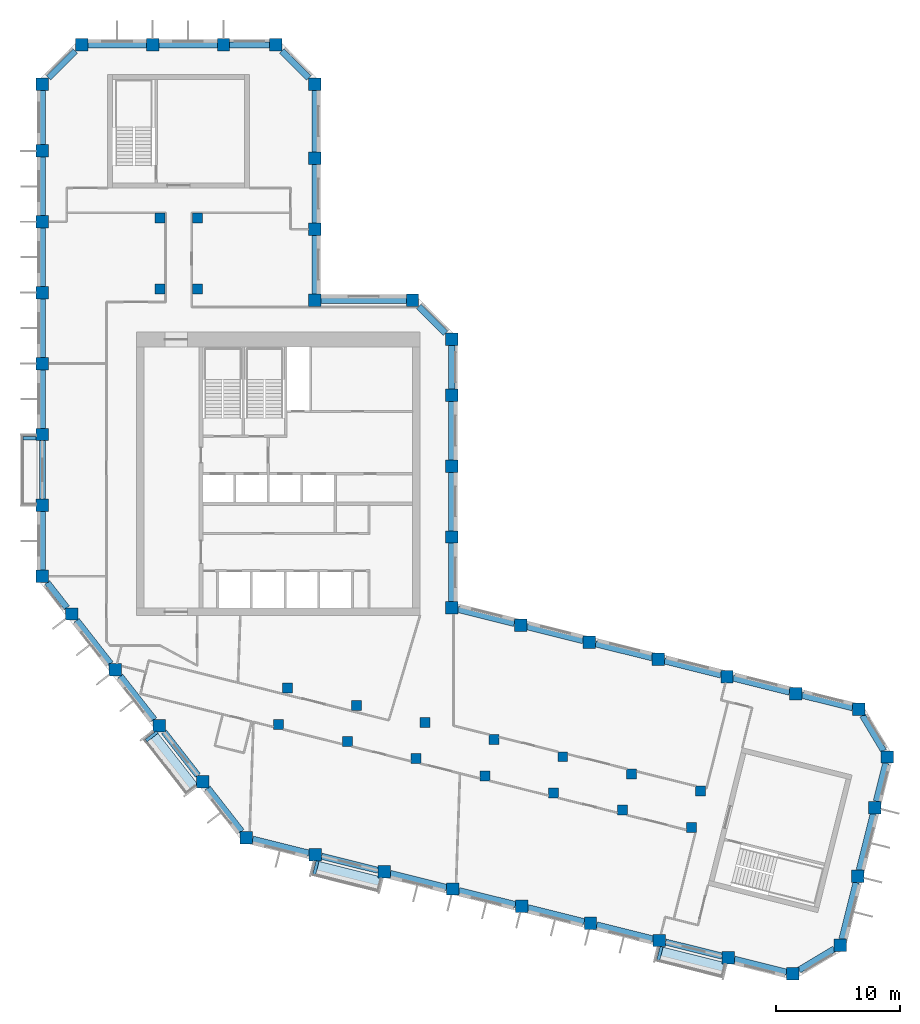
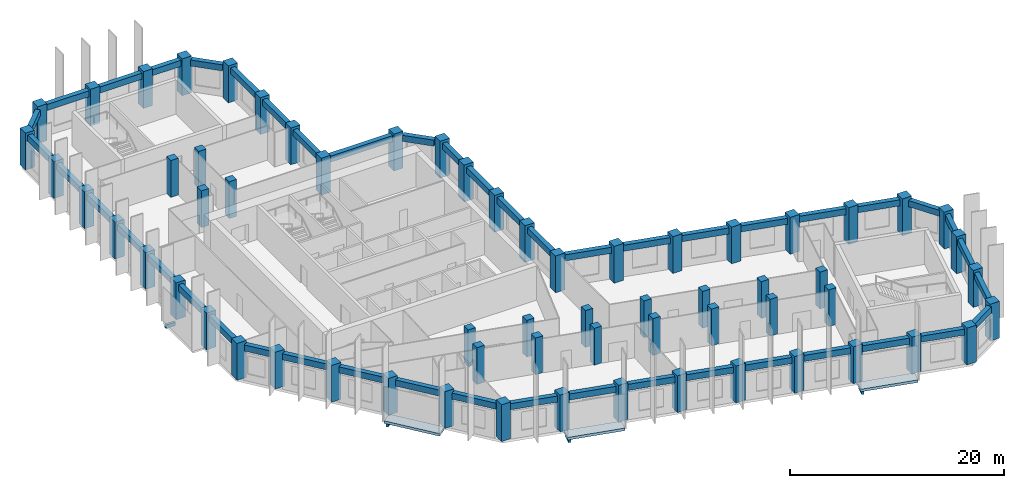
# One storey, part 1 of 9: 63 columns, 49 beams, 3 slabs.
"""IFC4 building model written with IfcOpenShell, lengths in metres."""

from ifc_helpers import new_model, si_unit, direction, frame, origin, origin_2d, place, context, subcontext, project, spatial, polyline, rectangle, outline, extrude, material, layer, layer_set, material_profile, profile_set, type_object, element, save


model = new_model("IFC4")

# Units and contexts
model_context = context("Model", 3, precision=1e-05, world=origin(), true_north=direction((0.0, 1.0)))
body_context = subcontext(model_context, "Body", "Model", "MODEL_VIEW")
ifc_project = project(units=[si_unit("LENGTHUNIT", "METRE"), si_unit("AREAUNIT", "SQUARE_METRE"), si_unit("VOLUMEUNIT", "CUBIC_METRE"), si_unit("PLANEANGLEUNIT", "RADIAN"), si_unit("MASSUNIT", "GRAM", prefix="KILO")], contexts=[model_context])

# Site, building, storey
site_placement = place(None, origin())
site = spatial("IfcSite", under=ifc_project, at=site_placement, CompositionType="ELEMENT")
building_placement = place(site_placement, origin())
building = spatial("IfcBuilding", under=site, at=building_placement, Name="Meshkara Civic Tower", CompositionType="ELEMENT")
storey_placement = place(building_placement, frame((0.0, 0.0, 340.199951171875)))
storey = spatial("IfcBuildingStorey", under=building, at=storey_placement, Name="L78", CompositionType="ELEMENT", Elevation=340.199951171875)

# Columns
ifc_material_1 = material(Name="Concrete C60", Category="concrete")
ifc_material_profile_1 = material_profile(ifc_material_1, rectangle(XDim=0.800048828125, YDim=0.800048828125, at=origin_2d()))
ifc_profile_set_1 = profile_set([ifc_material_profile_1], Name="Concrete C60")
column_type_1 = type_object("IfcColumnType", Name="Interior column RC 800x800 C60", PredefinedType="COLUMN", material=ifc_profile_set_1)
for number, where, z_axis, x_axis, name in (
    (1, (9.89990234375, 40.35009765625, 0.0), (0.0, 0.0, 1.0), (1.0, 0.0, 0.0), "Column SA1-04 L78"),
    (2, (9.89990234375, 46.050048828125, 0.0), (0.0, 0.0, 1.0), (1.0, 0.0, 0.0), "Column SA1-05 L78"),
    (3, (12.89990234375, 40.35009765625, 0.0), (0.0, 0.0, 1.0), (1.0, 0.0, 0.0), "Column SA2-04 L78"),
    (4, (12.89990234375, 46.050048828125, 0.0), (0.0, 0.0, 1.0), (1.0, 0.0, 0.0), "Column SA2-05 L78"),
    (5, (19.424072265625, 5.360107421875, 0.0), (0.0, 0.0, 1.0), (1.0, 0.0, 0.0), "Column SB1-00 L78"),
    (6, (24.9541015625, 3.98095703125, 0.0), (0.0, 0.0, 1.0), (1.0, 0.0, 0.0), "Column SB1-01 L78"),
    (7, (30.485107421875, 2.60205078125, 0.0), (0.0, 0.0, 1.0), (1.0, 0.0, 0.0), "Column SB1-02 L78"),
    (8, (36.01611328125, 1.222900390625, 0.0), (0.0, 0.0, 1.0), (1.0, 0.0, 0.0), "Column SB1-03 L78"),
    (9, (41.5458984375, -0.156005859375, 0.0), (0.0, 0.0, 1.0), (1.0, 0.0, 0.0), "Column SB1-04 L78"),
    (10, (47.076904296875, -1.534912109375, 0.0), (0.0, 0.0, 1.0), (1.0, 0.0, 0.0), "Column SB1-05 L78"),
    (11, (52.60791015625, -2.9140625, 0.0), (0.0, 0.0, 1.0), (1.0, 0.0, 0.0), "Column SB1-06 L78"),
    (12, (20.14892578125, 8.27099609375, 0.0), (0.0, 0.0, 1.0), (1.0, 0.0, 0.0), "Column SB2-00 L78"),
    (13, (25.679931640625, 6.89208984375, 0.0), (0.0, 0.0, 1.0), (1.0, 0.0, 0.0), "Column SB2-01 L78"),
    (14, (31.2109375, 5.512939453125, 0.0), (0.0, 0.0, 1.0), (1.0, 0.0, 0.0), "Column SB2-02 L78"),
    (15, (36.741943359375, 4.134033203125, 0.0), (0.0, 0.0, 1.0), (1.0, 0.0, 0.0), "Column SB2-03 L78"),
    (16, (42.27197265625, 2.7548828125, 0.0), (0.0, 0.0, 1.0), (1.0, 0.0, 0.0), "Column SB2-04 L78"),
    (17, (47.802978515625, 1.3759765625, 0.0), (0.0, 0.0, 1.0), (1.0, 0.0, 0.0), "Column SB2-05 L78"),
    (18, (53.333984375, -0.0029296875, 0.0), (0.0, 0.0, 1.0), (1.0, 0.0, 0.0), "Column SB2-06 L78"),
):
    element("IfcColumn", number, at=place(storey_placement, frame(where, z_axis=z_axis, x_axis=x_axis)), inside=storey, type_object=column_type_1, Name=name, PredefinedType="COLUMN", context=body_context, shape_type="SweptSolid", body=[
        extrude(rectangle(XDim=0.800048828125, YDim=0.800048828125, at=origin_2d()), origin(), (0.0, 0.0, 1.0), 4.199951171875),
    ])
ifc_material_2 = material(Name="Concrete C60", Category="concrete")
ifc_material_profile_2 = material_profile(ifc_material_2, rectangle(XDim=1.0, YDim=1.0, at=origin_2d()))
ifc_profile_set_2 = profile_set([ifc_material_profile_2], Name="Concrete C60")
column_type_2 = type_object("IfcColumnType", Name="Perimeter column RC 1000x1000 C60", PredefinedType="COLUMN", material=ifc_profile_set_2)
for number, where, z_axis, x_axis, name in (
    (19, (33.35009765625, 14.718994140625, 0.0), (0.0, 0.0, 1.0), (1.0, 0.0, 0.0), "Column HE00 L78"),
    (20, (33.35009765625, 20.4189453125, 0.0), (0.0, 0.0, 1.0), (1.0, 0.0, 0.0), "Column HE01 L78"),
    (21, (33.35009765625, 26.118896484375, 0.0), (0.0, 0.0, 1.0), (1.0, 0.0, 0.0), "Column HE02 L78"),
    (22, (33.35009765625, 31.819091796875, 0.0), (0.0, 0.0, 1.0), (1.0, 0.0, 0.0), "Column HE03 L78"),
    (23, (33.35009765625, 36.2939453125, 0.0), (0.0, 0.0, 1.0), (1.0, 0.0, 0.0), "Column HEE L78"),
    (24, (30.194091796875, 39.449951171875, 0.0), (0.0, 0.0, 1.0), (1.0, 0.0, 0.0), "Column HCeE L78"),
    (25, (22.35009765625, 39.449951171875, 0.0), (0.0, 0.0, 1.0), (1.0, 0.0, 0.0), "Column HN00 L78"),
    (26, (22.35009765625, 45.14990234375, 0.0), (0.0, 0.0, 1.0), (1.0, 0.0, 0.0), "Column AE01 L78"),
    (27, (22.35009765625, 50.85009765625, 0.0), (0.0, 0.0, 1.0), (1.0, 0.0, 0.0), "Column AE02 L78"),
    (28, (22.35009765625, 56.81396484375, 0.0), (0.0, 0.0, 1.0), (1.0, 0.0, 0.0), "Column AEEP4 L78"),
    (29, (19.194091796875, 59.969970703125, 0.0), (0.0, 0.0, 1.0), (1.0, 0.0, 0.0), "Column ATiEP4 L78"),
    (30, (3.60595703125, 59.969970703125, 0.0), (0.0, 0.0, 1.0), (1.0, 0.0, 0.0), "Column AT00-P4 L78"),
    (31, (9.305908203125, 59.969970703125, 0.0), (0.0, 0.0, 1.0), (1.0, 0.0, 0.0), "Column AT01-P4 L78"),
    (32, (15.006103515625, 59.969970703125, 0.0), (0.0, 0.0, 1.0), (1.0, 0.0, 0.0), "Column AT02-P4 L78"),
    (33, (0.449951171875, 56.81396484375, 0.0), (0.0, 0.0, 1.0), (1.0, 0.0, 0.0), "Column ATo00-P4 L78"),
    (34, (0.449951171875, 17.2548828125, 0.0), (0.0, 0.0, 1.0), (1.0, 0.0, 0.0), "Column AW00 L78"),
    (35, (0.449951171875, 22.955078125, 0.0), (0.0, 0.0, 1.0), (1.0, 0.0, 0.0), "Column AW01 L78"),
    (36, (0.449951171875, 28.655029296875, 0.0), (0.0, 0.0, 1.0), (1.0, 0.0, 0.0), "Column AW02 L78"),
    (37, (0.449951171875, 34.35498046875, 0.0), (0.0, 0.0, 1.0), (1.0, 0.0, 0.0), "Column AW03 L78"),
    (38, (0.449951171875, 40.054931640625, 0.0), (0.0, 0.0, 1.0), (1.0, 0.0, 0.0), "Column AW04 L78"),
    (39, (0.449951171875, 45.7548828125, 0.0), (0.0, 0.0, 1.0), (1.0, 0.0, 0.0), "Column AW05 L78"),
    (40, (0.449951171875, 51.455078125, 0.0), (0.0, 0.0, 1.0), (1.0, 0.0, 0.0), "Column AW06 L78"),
    (41, (16.85107421875, -3.738037109375, 0.0), (0.0, 0.0, 1.0), (1.0, 0.0, 0.0), "Column BOW00 L78"),
    (42, (13.342041015625, 0.75390625, 0.0), (0.0, 0.0, 1.0), (1.0, 0.0, 0.0), "Column BOW01 L78"),
    (43, (9.8330078125, 5.2451171875, 0.0), (0.0, 0.0, 1.0), (1.0, 0.0, 0.0), "Column BOW02 L78"),
    (44, (6.322998046875, 9.737060546875, 0.0), (0.0, 0.0, 1.0), (1.0, 0.0, 0.0), "Column BOW03 L78"),
    (45, (2.81396484375, 14.22900390625, 0.0), (0.0, 0.0, 1.0), (1.0, 0.0, 0.0), "Column BOW04 L78"),
    (46, (22.382080078125, -5.116943359375, 0.0), (0.0, 0.0, 1.0), (1.0, 0.0, 0.0), "Column BS01 L78"),
    (47, (27.912109375, -6.49609375, 0.0), (0.0, 0.0, 1.0), (1.0, 0.0, 0.0), "Column BS02 L78"),
    (48, (33.443115234375, -7.875, 0.0), (0.0, 0.0, 1.0), (1.0, 0.0, 0.0), "Column BS03 L78"),
    (49, (38.97412109375, -9.25390625, 0.0), (0.0, 0.0, 1.0), (1.0, 0.0, 0.0), "Column BS04 L78"),
    (50, (44.50390625, -10.633056640625, 0.0), (0.0, 0.0, 1.0), (1.0, 0.0, 0.0), "Column BS05-P4 L78"),
    (51, (50.034912109375, -12.011962890625, 0.0), (0.0, 0.0, 1.0), (1.0, 0.0, 0.0), "Column BS06-P4 L78"),
    (52, (55.56591796875, -13.389892578125, 0.0), (0.0, 0.0, 1.0), (1.0, 0.0, 0.0), "Column BS07 L78"),
    (53, (60.76611328125, -14.68701171875, 0.0), (0.0, 0.0, 1.0), (1.0, 0.0, 0.0), "Column BSEP4 L78"),
    (54, (64.591064453125, -12.386962890625, 0.0), (0.0, 0.0, 1.0), (1.0, 0.0, 0.0), "Column BToEP4 L78"),
    (55, (65.969970703125, -6.85595703125, 0.0), (0.0, 0.0, 1.0), (1.0, 0.0, 0.0), "Column BT01-P4 L78"),
    (56, (67.34912109375, -1.325927734375, 0.0), (0.0, 0.0, 1.0), (1.0, 0.0, 0.0), "Column BT02-P4 L78"),
    (57, (68.362060546875, 2.736083984375, 0.0), (0.0, 0.0, 1.0), (1.0, 0.0, 0.0), "Column BTEP4 L78"),
    (58, (66.06298828125, 6.56201171875, 0.0), (0.0, 0.0, 1.0), (1.0, 0.0, 0.0), "Column BTi00-P4 L78"),
    (59, (38.881103515625, 13.340087890625, 0.0), (0.0, 0.0, 1.0), (1.0, 0.0, 0.0), "Column BN01 L78"),
    (60, (44.410888671875, 11.9609375, 0.0), (0.0, 0.0, 1.0), (1.0, 0.0, 0.0), "Column BN02 L78"),
    (61, (49.94189453125, 10.58203125, 0.0), (0.0, 0.0, 1.0), (1.0, 0.0, 0.0), "Column BN03 L78"),
    (62, (55.472900390625, 9.202880859375, 0.0), (0.0, 0.0, 1.0), (1.0, 0.0, 0.0), "Column BN04 L78"),
    (63, (61.0029296875, 7.823974609375, 0.0), (0.0, 0.0, 1.0), (1.0, 0.0, 0.0), "Column BN05 L78"),
):
    element("IfcColumn", number, at=place(storey_placement, frame(where, z_axis=z_axis, x_axis=x_axis)), inside=storey, type_object=column_type_2, Name=name, PredefinedType="COLUMN", context=body_context, shape_type="SweptSolid", body=[
        extrude(rectangle(XDim=1.0, YDim=1.0, at=origin_2d()), origin(), (0.0, 0.0, 1.0), 4.199951171875),
    ])

# Beams
ifc_material_3 = material(Name="Concrete C50", Category="concrete")
ifc_material_profile_3 = material_profile(ifc_material_3, rectangle(XDim=0.25, YDim=0.39990234375, at=origin_2d()))
ifc_profile_set_3 = profile_set([ifc_material_profile_3], Name="Concrete C50")
beam_type_1 = type_object("IfcBeamType", Name="Balcony bracket beam RC 250x400 C50", PredefinedType="BEAM", material=ifc_profile_set_3)
beam_1_placement = place(storey_placement, frame((-0.044921875, 28.35498046875, -0.5), z_axis=(-1.0, 0.0, 0.0), x_axis=(0.0, -1.0, 0.0)))
element("IfcBeam", 64, at=beam_1_placement, inside=storey, type_object=beam_type_1, Name="Balcony bracket beam", PredefinedType="BEAM", context=body_context, shape_type="SweptSolid", body=[
    extrude(rectangle(XDim=0.25, YDim=0.39990234375, at=origin_2d()), origin(), (0.0, 0.0, 1.0), 1.05517578125),
])
beam_2_placement = place(storey_placement, frame((9.68408203125, 4.748046875, -0.5), z_axis=(-0.787938992743, -0.61575331401, 0.0), x_axis=(0.61575331401, -0.787938992743, 0.0)))
element("IfcBeam", 65, at=beam_2_placement, inside=storey, type_object=beam_type_1, Name="Balcony bracket beam", PredefinedType="BEAM", context=body_context, shape_type="SweptSolid", body=[
    extrude(rectangle(XDim=0.25, YDim=0.39990234375, at=origin_2d()), origin(), (0.0, 0.0, 1.0), 1.127197265625),
])
beam_3_placement = place(storey_placement, frame((22.568115234375, -5.612060546875, -0.5), z_axis=(-0.242329403705, -0.970194032192, 0.0), x_axis=(0.970194032192, -0.242329403705, 0.0)))
element("IfcBeam", 66, at=beam_3_placement, inside=storey, type_object=beam_type_1, Name="Balcony bracket beam", PredefinedType="BEAM", context=body_context, shape_type="SweptSolid", body=[
    extrude(rectangle(XDim=0.25, YDim=0.39990234375, at=origin_2d()), origin(), (0.0, 0.0, 1.0), 1.1142578125),
])
beam_4_placement = place(storey_placement, frame((50.220947265625, -12.507080078125, -0.5), z_axis=(-0.24238092718, -0.970181161505, 0.0), x_axis=(0.970181161505, -0.24238092718, 0.0)))
element("IfcBeam", 67, at=beam_4_placement, inside=storey, type_object=beam_type_1, Name="Balcony bracket beam", PredefinedType="BEAM", context=body_context, shape_type="SweptSolid", body=[
    extrude(rectangle(XDim=0.25, YDim=0.39990234375, at=origin_2d()), origin(), (0.0, 0.0, 1.0), 1.114013671875),
])
ifc_material_4 = material(Name="Concrete C50", Category="concrete")
ifc_material_profile_4 = material_profile(ifc_material_4, rectangle(XDim=0.5, YDim=0.699951171875, at=origin_2d()))
ifc_profile_set_4 = profile_set([ifc_material_profile_4], Name="Concrete C50")
beam_type_2 = type_object("IfcBeamType", Name="Spandrel beam RC 500x700 C50", PredefinedType="BEAM", material=ifc_profile_set_4)
beam_5_placement = place(storey_placement, frame((60.5078125, 7.947509765625, 3.550048828125), z_axis=(-0.970286590806, 0.241958533023, 0.0), x_axis=(-0.241958533023, -0.970286590806, 0.0)))
element("IfcBeam", 68, at=beam_5_placement, inside=storey, type_object=beam_type_2, Name="Spandrel beam BN04-BN05", PredefinedType="BEAM", context=body_context, shape_type="SweptSolid", body=[
    extrude(rectangle(XDim=0.5, YDim=0.699951171875, at=origin_2d()), origin(), (0.0, 0.0, 1.0), 4.6787109375),
])
beam_6_placement = place(storey_placement, frame((54.977783203125, 9.326416015625, 3.550048828125), z_axis=(-0.970298806378, 0.241909541651, 0.0), x_axis=(-0.241909541651, -0.970298806378, 0.0)))
element("IfcBeam", 69, at=beam_6_placement, inside=storey, type_object=beam_type_2, Name="Spandrel beam BN03-BN04", PredefinedType="BEAM", context=body_context, shape_type="SweptSolid", body=[
    extrude(rectangle(XDim=0.5, YDim=0.699951171875, at=origin_2d()), origin(), (0.0, 0.0, 1.0), 4.6796875),
])
beam_7_placement = place(storey_placement, frame((49.447021484375, 10.70556640625, 3.550048828125), z_axis=(-0.970314102262, 0.241848181618, 0.0), x_axis=(-0.241848181618, -0.970314102262, 0.0)))
element("IfcBeam", 70, at=beam_7_placement, inside=storey, type_object=beam_type_2, Name="Spandrel beam BN02-BN03", PredefinedType="BEAM", context=body_context, shape_type="SweptSolid", body=[
    extrude(rectangle(XDim=0.5, YDim=0.699951171875, at=origin_2d()), origin(), (0.0, 0.0, 1.0), 4.679931640625),
])
beam_8_placement = place(storey_placement, frame((43.916015625, 12.08447265625, 3.550048828125), z_axis=(-0.970286590806, 0.241958533023, 0.0), x_axis=(-0.241958533023, -0.970286590806, 0.0)))
element("IfcBeam", 71, at=beam_8_placement, inside=storey, type_object=beam_type_2, Name="Spandrel beam BN01-BN02", PredefinedType="BEAM", context=body_context, shape_type="SweptSolid", body=[
    extrude(rectangle(XDim=0.5, YDim=0.699951171875, at=origin_2d()), origin(), (0.0, 0.0, 1.0), 4.6787109375),
])
beam_9_placement = place(storey_placement, frame((38.385986328125, 13.46337890625, 3.550048828125), z_axis=(-0.970298806378, 0.241909541651, 0.0), x_axis=(-0.241909541651, -0.970298806378, 0.0)))
element("IfcBeam", 72, at=beam_9_placement, inside=storey, type_object=beam_type_2, Name="Spandrel beam BN01-HE00", PredefinedType="BEAM", context=body_context, shape_type="SweptSolid", body=[
    extrude(rectangle(XDim=0.5, YDim=0.699951171875, at=origin_2d()), origin(), (0.0, 0.0, 1.0), 4.6796875),
])
for number, where, z_axis, x_axis, name in (
    (73, (33.35009765625, 15.214111328125, 3.550048828125), (0.0, 1.0, 0.0), (-1.0, 0.0, 0.0), "Spandrel beam HE00-HE01"),
    (74, (33.35009765625, 20.9140625, 3.550048828125), (0.0, 1.0, 0.0), (-1.0, 0.0, 0.0), "Spandrel beam HE01-HE02"),
    (75, (33.35009765625, 26.614013671875, 3.550048828125), (0.0, 1.0, 0.0), (-1.0, 0.0, 0.0), "Spandrel beam HE02-HE03"),
):
    element("IfcBeam", number, at=place(storey_placement, frame(where, z_axis=z_axis, x_axis=x_axis)), inside=storey, type_object=beam_type_2, Name=name, PredefinedType="BEAM", context=body_context, shape_type="SweptSolid", body=[
        extrude(rectangle(XDim=0.5, YDim=0.699951171875, at=origin_2d()), origin(), (0.0, 0.0, 1.0), 4.7099609375),
    ])
beam_10_placement = place(storey_placement, frame((33.35009765625, 32.31396484375, 3.550048828125), z_axis=(0.0, 1.0, 0.0), x_axis=(-1.0, 0.0, 0.0)))
element("IfcBeam", 76, at=beam_10_placement, inside=storey, type_object=beam_type_2, Name="Spandrel beam HE03-HEE", PredefinedType="BEAM", context=body_context, shape_type="SweptSolid", body=[
    extrude(rectangle(XDim=0.5, YDim=0.699951171875, at=origin_2d()), origin(), (0.0, 0.0, 1.0), 3.485107421875),
])
beam_11_placement = place(storey_placement, frame((32.853515625, 36.79052734375, 3.550048828125), z_axis=(-0.707106781187, 0.707106781187, 0.0), x_axis=(-0.707106781187, -0.707106781187, 0.0)))
element("IfcBeam", 77, at=beam_11_placement, inside=storey, type_object=beam_type_2, Name="Spandrel beam HCeE-HEE", PredefinedType="BEAM", context=body_context, shape_type="SweptSolid", body=[
    extrude(rectangle(XDim=0.5, YDim=0.699951171875, at=origin_2d()), origin(), (0.0, 0.0, 1.0), 3.05908203125),
])
beam_12_placement = place(storey_placement, frame((29.698974609375, 39.449951171875, 3.550048828125), z_axis=(-1.0, 0.0, 0.0), x_axis=(0.0, -1.0, 0.0)))
element("IfcBeam", 78, at=beam_12_placement, inside=storey, type_object=beam_type_2, Name="Spandrel beam HCeE-HN00", PredefinedType="BEAM", context=body_context, shape_type="SweptSolid", body=[
    extrude(rectangle(XDim=0.5, YDim=0.699951171875, at=origin_2d()), origin(), (0.0, 0.0, 1.0), 6.85400390625),
])
for number, where, z_axis, x_axis, name in (
    (79, (22.35009765625, 39.945068359375, 3.550048828125), (0.0, 1.0, 0.0), (-1.0, 0.0, 0.0), "Spandrel beam AE01-HN00"),
    (80, (22.35009765625, 45.64501953125, 3.550048828125), (0.0, 1.0, 0.0), (-1.0, 0.0, 0.0), "Spandrel beam AE01-AE02"),
):
    element("IfcBeam", number, at=place(storey_placement, frame(where, z_axis=z_axis, x_axis=x_axis)), inside=storey, type_object=beam_type_2, Name=name, PredefinedType="BEAM", context=body_context, shape_type="SweptSolid", body=[
        extrude(rectangle(XDim=0.5, YDim=0.699951171875, at=origin_2d()), origin(), (0.0, 0.0, 1.0), 4.7099609375),
    ])
beam_13_placement = place(storey_placement, frame((22.35009765625, 51.344970703125, 3.550048828125), z_axis=(0.0, 1.0, 0.0), x_axis=(-1.0, 0.0, 0.0)))
element("IfcBeam", 81, at=beam_13_placement, inside=storey, type_object=beam_type_2, Name="Spandrel beam AE02-AEEP4", PredefinedType="BEAM", context=body_context, shape_type="SweptSolid", body=[
    extrude(rectangle(XDim=0.5, YDim=0.699951171875, at=origin_2d()), origin(), (0.0, 0.0, 1.0), 4.97412109375),
])
beam_14_placement = place(storey_placement, frame((21.853515625, 57.310546875, 3.550048828125), z_axis=(-0.707146686758, 0.707066873363, 0.0), x_axis=(-0.707066873363, -0.707146686758, 0.0)))
element("IfcBeam", 82, at=beam_14_placement, inside=storey, type_object=beam_type_2, Name="Spandrel beam AEEP4-ATiEP4", PredefinedType="BEAM", context=body_context, shape_type="SweptSolid", body=[
    extrude(rectangle(XDim=0.5, YDim=0.699951171875, at=origin_2d()), origin(), (0.0, 0.0, 1.0), 3.058837890625),
])
beam_15_placement = place(storey_placement, frame((18.698974609375, 59.969970703125, 3.550048828125), z_axis=(-1.0, 0.0, 0.0), x_axis=(0.0, -1.0, 0.0)))
element("IfcBeam", 83, at=beam_15_placement, inside=storey, type_object=beam_type_2, Name="Spandrel beam AT02-P4-ATiEP4", PredefinedType="BEAM", context=body_context, shape_type="SweptSolid", body=[
    extrude(rectangle(XDim=0.5, YDim=0.699951171875, at=origin_2d()), origin(), (0.0, 0.0, 1.0), 3.197998046875),
])
for number, where, z_axis, x_axis, name in (
    (84, (14.510986328125, 59.969970703125, 3.550048828125), (-1.0, 0.0, 0.0), (0.0, -1.0, 0.0), "Spandrel beam AT01-P4-AT02-P4"),
    (85, (8.81103515625, 59.969970703125, 3.550048828125), (-1.0, 0.0, 0.0), (0.0, -1.0, 0.0), "Spandrel beam AT00-P4-AT01-P4"),
):
    element("IfcBeam", number, at=place(storey_placement, frame(where, z_axis=z_axis, x_axis=x_axis)), inside=storey, type_object=beam_type_2, Name=name, PredefinedType="BEAM", context=body_context, shape_type="SweptSolid", body=[
        extrude(rectangle(XDim=0.5, YDim=0.699951171875, at=origin_2d()), origin(), (0.0, 0.0, 1.0), 4.7099609375),
    ])
beam_16_placement = place(storey_placement, frame((3.109619140625, 59.473388671875, 3.550048828125), z_axis=(-0.707146686758, -0.707066873363, 0.0), x_axis=(0.707066873363, -0.707146686758, 0.0)))
element("IfcBeam", 86, at=beam_16_placement, inside=storey, type_object=beam_type_2, Name="Spandrel beam AT00-P4-ATo00-P4", PredefinedType="BEAM", context=body_context, shape_type="SweptSolid", body=[
    extrude(rectangle(XDim=0.5, YDim=0.699951171875, at=origin_2d()), origin(), (0.0, 0.0, 1.0), 3.058837890625),
])
beam_17_placement = place(storey_placement, frame((0.449951171875, 56.319091796875, 3.550048828125), z_axis=(0.0, -1.0, 0.0), x_axis=(1.0, 0.0, 0.0)))
element("IfcBeam", 87, at=beam_17_placement, inside=storey, type_object=beam_type_2, Name="Spandrel beam ATo00-P4-AW06", PredefinedType="BEAM", context=body_context, shape_type="SweptSolid", body=[
    extrude(rectangle(XDim=0.5, YDim=0.699951171875, at=origin_2d()), origin(), (0.0, 0.0, 1.0), 4.369140625),
])
for number, where, z_axis, x_axis, name in (
    (88, (0.449951171875, 50.9599609375, 3.550048828125), (0.0, -1.0, 0.0), (1.0, 0.0, 0.0), "Spandrel beam AW05-AW06"),
    (89, (0.449951171875, 45.260009765625, 3.550048828125), (0.0, -1.0, 0.0), (1.0, 0.0, 0.0), "Spandrel beam AW04-AW05"),
    (90, (0.449951171875, 39.56005859375, 3.550048828125), (0.0, -1.0, 0.0), (1.0, 0.0, 0.0), "Spandrel beam AW03-AW04"),
):
    element("IfcBeam", number, at=place(storey_placement, frame(where, z_axis=z_axis, x_axis=x_axis)), inside=storey, type_object=beam_type_2, Name=name, PredefinedType="BEAM", context=body_context, shape_type="SweptSolid", body=[
        extrude(rectangle(XDim=0.5, YDim=0.699951171875, at=origin_2d()), origin(), (0.0, 0.0, 1.0), 4.7099609375),
    ])
beam_18_placement = place(storey_placement, frame((0.449951171875, 33.860107421875, 3.550048828125), z_axis=(0.0, -1.0, 0.0), x_axis=(1.0, 0.0, 0.0)))
element("IfcBeam", 91, at=beam_18_placement, inside=storey, type_object=beam_type_2, Name="Spandrel beam AW02-AW03", PredefinedType="BEAM", context=body_context, shape_type="SweptSolid", body=[
    extrude(rectangle(XDim=0.5, YDim=0.699951171875, at=origin_2d()), origin(), (0.0, 0.0, 1.0), 4.710205078125),
])
for number, where, z_axis, x_axis, name in (
    (92, (0.449951171875, 28.159912109375, 3.550048828125), (0.0, -1.0, 0.0), (1.0, 0.0, 0.0), "Spandrel beam AW01-AW02"),
    (93, (0.449951171875, 22.4599609375, 3.550048828125), (0.0, -1.0, 0.0), (1.0, 0.0, 0.0), "Spandrel beam AW00-AW01"),
):
    element("IfcBeam", number, at=place(storey_placement, frame(where, z_axis=z_axis, x_axis=x_axis)), inside=storey, type_object=beam_type_2, Name=name, PredefinedType="BEAM", context=body_context, shape_type="SweptSolid", body=[
        extrude(rectangle(XDim=0.5, YDim=0.699951171875, at=origin_2d()), origin(), (0.0, 0.0, 1.0), 4.7099609375),
    ])
beam_19_placement = place(storey_placement, frame((0.83740234375, 16.7587890625, 3.550048828125), z_axis=(0.615713794912, -0.787969874269, 0.0), x_axis=(0.787969874269, 0.615713794912, 0.0)))
element("IfcBeam", 94, at=beam_19_placement, inside=storey, type_object=beam_type_2, Name="Spandrel beam AW00-BOW04", PredefinedType="BEAM", context=body_context, shape_type="SweptSolid", body=[
    extrude(rectangle(XDim=0.5, YDim=0.699951171875, at=origin_2d()), origin(), (0.0, 0.0, 1.0), 2.580810546875),
])
beam_20_placement = place(storey_placement, frame((3.201416015625, 13.73291015625, 3.550048828125), z_axis=(0.615636574491, -0.788030207637, 0.0), x_axis=(0.788030207637, 0.615636574491, 0.0)))
element("IfcBeam", 95, at=beam_20_placement, inside=storey, type_object=beam_type_2, Name="Spandrel beam BOW03-BOW04", PredefinedType="BEAM", context=body_context, shape_type="SweptSolid", body=[
    extrude(rectangle(XDim=0.5, YDim=0.699951171875, at=origin_2d()), origin(), (0.0, 0.0, 1.0), 4.441162109375),
])
beam_21_placement = place(storey_placement, frame((6.710693359375, 9.240966796875, 3.550048828125), z_axis=(0.615704842432, -0.787976869588, 0.0), x_axis=(0.787976869588, 0.615704842432, 0.0)))
element("IfcBeam", 96, at=beam_21_placement, inside=storey, type_object=beam_type_2, Name="Spandrel beam BOW02-BOW03", PredefinedType="BEAM", context=body_context, shape_type="SweptSolid", body=[
    extrude(rectangle(XDim=0.5, YDim=0.699951171875, at=origin_2d()), origin(), (0.0, 0.0, 1.0), 4.44140625),
])
beam_22_placement = place(storey_placement, frame((10.220703125, 4.748779296875, 3.550048828125), z_axis=(0.615674985547, -0.788000198078, 0.0), x_axis=(0.788000198078, 0.615674985547, 0.0)))
element("IfcBeam", 97, at=beam_22_placement, inside=storey, type_object=beam_type_2, Name="Spandrel beam BOW01-BOW02", PredefinedType="BEAM", context=body_context, shape_type="SweptSolid", body=[
    extrude(rectangle(XDim=0.5, YDim=0.699951171875, at=origin_2d()), origin(), (0.0, 0.0, 1.0), 4.440185546875),
])
beam_23_placement = place(storey_placement, frame((13.7294921875, 0.2578125, 3.550048828125), z_axis=(0.615602435322, -0.788056877151, 0.0), x_axis=(0.788056877151, 0.615602435322, 0.0)))
element("IfcBeam", 98, at=beam_23_placement, inside=storey, type_object=beam_type_2, Name="Spandrel beam BOW00-BOW01", PredefinedType="BEAM", context=body_context, shape_type="SweptSolid", body=[
    extrude(rectangle(XDim=0.5, YDim=0.699951171875, at=origin_2d()), origin(), (0.0, 0.0, 1.0), 4.44091796875),
])
beam_24_placement = place(storey_placement, frame((17.34619140625, -3.861572265625, 3.550048828125), z_axis=(0.970311050729, -0.24186042428, 0.0), x_axis=(0.24186042428, 0.970311050729, 0.0)))
element("IfcBeam", 99, at=beam_24_placement, inside=storey, type_object=beam_type_2, Name="Spandrel beam BOW00-BS01", PredefinedType="BEAM", context=body_context, shape_type="SweptSolid", body=[
    extrude(rectangle(XDim=0.5, YDim=0.699951171875, at=origin_2d()), origin(), (0.0, 0.0, 1.0), 4.6796875),
])
beam_25_placement = place(storey_placement, frame((22.877197265625, -5.240478515625, 3.550048828125), z_axis=(0.970286590806, -0.241958533023, 0.0), x_axis=(0.241958533023, 0.970286590806, 0.0)))
element("IfcBeam", 100, at=beam_25_placement, inside=storey, type_object=beam_type_2, Name="Spandrel beam BS01-BS02", PredefinedType="BEAM", context=body_context, shape_type="SweptSolid", body=[
    extrude(rectangle(XDim=0.5, YDim=0.699951171875, at=origin_2d()), origin(), (0.0, 0.0, 1.0), 4.6787109375),
])
for number, where, z_axis, x_axis, name in (
    (101, (28.406982421875, -6.619384765625, 3.550048828125), (0.970301859111, -0.241897296812, 0.0), (0.241897296812, 0.970301859111, 0.0), "Spandrel beam BS02-BS03"),
    (102, (33.93798828125, -7.99853515625, 3.550048828125), (0.970301859111, -0.241897296812, 0.0), (0.241897296812, 0.970301859111, 0.0), "Spandrel beam BS03-BS04"),
):
    element("IfcBeam", number, at=place(storey_placement, frame(where, z_axis=z_axis, x_axis=x_axis)), inside=storey, type_object=beam_type_2, Name=name, PredefinedType="BEAM", context=body_context, shape_type="SweptSolid", body=[
        extrude(rectangle(XDim=0.5, YDim=0.699951171875, at=origin_2d()), origin(), (0.0, 0.0, 1.0), 4.679931640625),
    ])
beam_26_placement = place(storey_placement, frame((39.468994140625, -9.37744140625, 3.550048828125), z_axis=(0.970286590806, -0.241958533023, 0.0), x_axis=(0.241958533023, 0.970286590806, 0.0)))
element("IfcBeam", 103, at=beam_26_placement, inside=storey, type_object=beam_type_2, Name="Spandrel beam BS04-BS05-P4", PredefinedType="BEAM", context=body_context, shape_type="SweptSolid", body=[
    extrude(rectangle(XDim=0.5, YDim=0.699951171875, at=origin_2d()), origin(), (0.0, 0.0, 1.0), 4.6787109375),
])
beam_27_placement = place(storey_placement, frame((44.9990234375, -10.756591796875, 3.550048828125), z_axis=(0.970311050729, -0.24186042428, 0.0), x_axis=(0.24186042428, 0.970311050729, 0.0)))
element("IfcBeam", 104, at=beam_27_placement, inside=storey, type_object=beam_type_2, Name="Spandrel beam BS05-P4-BS06-P4", PredefinedType="BEAM", context=body_context, shape_type="SweptSolid", body=[
    extrude(rectangle(XDim=0.5, YDim=0.699951171875, at=origin_2d()), origin(), (0.0, 0.0, 1.0), 4.6796875),
])
beam_28_placement = place(storey_placement, frame((50.530029296875, -12.135498046875, 3.550048828125), z_axis=(0.970347770718, -0.241713061011, 0.0), x_axis=(0.241713061011, 0.970347770718, 0.0)))
element("IfcBeam", 105, at=beam_28_placement, inside=storey, type_object=beam_type_2, Name="Spandrel beam BS06-P4-BS07", PredefinedType="BEAM", context=body_context, shape_type="SweptSolid", body=[
    extrude(rectangle(XDim=0.5, YDim=0.699951171875, at=origin_2d()), origin(), (0.0, 0.0, 1.0), 4.679443359375),
])
beam_29_placement = place(storey_placement, frame((56.06103515625, -13.513427734375, 3.550048828125), z_axis=(0.970274749447, -0.242006013533, 0.0), x_axis=(0.242006013533, 0.970274749447, 0.0)))
element("IfcBeam", 106, at=beam_29_placement, inside=storey, type_object=beam_type_2, Name="Spandrel beam BS07-BSEP4", PredefinedType="BEAM", context=body_context, shape_type="SweptSolid", body=[
    extrude(rectangle(XDim=0.5, YDim=0.699951171875, at=origin_2d()), origin(), (0.0, 0.0, 1.0), 4.3388671875),
])
beam_30_placement = place(storey_placement, frame((61.26171875, -14.388916015625, 3.550048828125), z_axis=(0.856990838189, 0.515331643953, 0.0), x_axis=(-0.515331643953, 0.856990838189, 0.0)))
element("IfcBeam", 107, at=beam_30_placement, inside=storey, type_object=beam_type_2, Name="Spandrel beam BSEP4-BToEP4", PredefinedType="BEAM", context=body_context, shape_type="SweptSolid", body=[
    extrude(rectangle(XDim=0.5, YDim=0.699951171875, at=origin_2d()), origin(), (0.0, 0.0, 1.0), 3.306396484375),
])
beam_31_placement = place(storey_placement, frame((64.714599609375, -11.891845703125, 3.550048828125), z_axis=(0.24186042428, 0.970311050729, 0.0), x_axis=(-0.970311050729, 0.24186042428, 0.0)))
element("IfcBeam", 108, at=beam_31_placement, inside=storey, type_object=beam_type_2, Name="Spandrel beam BT01-P4-BToEP4", PredefinedType="BEAM", context=body_context, shape_type="SweptSolid", body=[
    extrude(rectangle(XDim=0.5, YDim=0.699951171875, at=origin_2d()), origin(), (0.0, 0.0, 1.0), 4.6796875),
])
beam_32_placement = place(storey_placement, frame((66.093505859375, -6.36083984375, 3.550048828125), z_axis=(0.241958533023, 0.970286590806, 0.0), x_axis=(-0.970286590806, 0.241958533023, 0.0)))
element("IfcBeam", 109, at=beam_32_placement, inside=storey, type_object=beam_type_2, Name="Spandrel beam BT01-P4-BT02-P4", PredefinedType="BEAM", context=body_context, shape_type="SweptSolid", body=[
    extrude(rectangle(XDim=0.5, YDim=0.699951171875, at=origin_2d()), origin(), (0.0, 0.0, 1.0), 4.6787109375),
])
beam_33_placement = place(storey_placement, frame((67.472412109375, -0.830810546875, 3.550048828125), z_axis=(0.241991235859, 0.970278435176, 0.0), x_axis=(-0.970278435176, 0.241991235859, 0.0)))
element("IfcBeam", 110, at=beam_33_placement, inside=storey, type_object=beam_type_2, Name="Spandrel beam BT02-P4-BTEP4", PredefinedType="BEAM", context=body_context, shape_type="SweptSolid", body=[
    extrude(rectangle(XDim=0.5, YDim=0.699951171875, at=origin_2d()), origin(), (0.0, 0.0, 1.0), 3.165771484375),
])
beam_34_placement = place(storey_placement, frame((68.064208984375, 3.231689453125, 3.550048828125), z_axis=(-0.515060169575, 0.8571540245, 0.0), x_axis=(-0.8571540245, -0.515060169575, 0.0)))
element("IfcBeam", 111, at=beam_34_placement, inside=storey, type_object=beam_type_2, Name="Spandrel beam BTEP4-BTi00-P4", PredefinedType="BEAM", context=body_context, shape_type="SweptSolid", body=[
    extrude(rectangle(XDim=0.5, YDim=0.699951171875, at=origin_2d()), origin(), (0.0, 0.0, 1.0), 3.30712890625),
])
beam_35_placement = place(storey_placement, frame((65.56787109375, 6.685546875, 3.550048828125), z_axis=(-0.970286131512, 0.241960374847, 0.0), x_axis=(-0.241960374847, -0.970286131512, 0.0)))
element("IfcBeam", 112, at=beam_35_placement, inside=storey, type_object=beam_type_2, Name="Spandrel beam BN05-BTi00-P4", PredefinedType="BEAM", context=body_context, shape_type="SweptSolid", body=[
    extrude(rectangle(XDim=0.5, YDim=0.699951171875, at=origin_2d()), origin(), (0.0, 0.0, 1.0), 4.1943359375),
])

# Slabs
ifc_material_5 = material(Name="Concrete C40", Category="concrete")
ifc_layer = layer(ifc_material_5, 0.300048828125)
ifc_layer_set = layer_set([ifc_layer], Name="BALCONY SLAB")
slab_type = type_object("IfcSlabType", Name="BALCONY SLAB", PredefinedType="FLOOR", material=ifc_layer_set)
slab_1_placement = place(storey_placement, frame((0.0, 0.0, -0.300048828125)))
element("IfcSlab", 113, at=slab_1_placement, inside=storey, type_object=slab_type, Name="Balcony slab", PredefinedType="FLOOR", context=body_context, shape_type="SweptSolid", body=[
    extrude(outline(polyline([(12.0048828125, -0.215087890625), (8.570068359375, 4.181884765625), (9.3330078125, 4.778076171875), (9.3330078125, 4.7451171875), (9.653076171875, 4.7451171875), (12.842041015625, 0.6630859375), (12.842041015625, 0.43994140625), (12.0048828125, -0.215087890625)])), origin(), (0.0, 0.0, 1.0), 0.300048828125),
])
slab_2_placement = place(storey_placement, frame((0.0, 0.0, -0.300048828125)))
element("IfcSlab", 114, at=slab_2_placement, inside=storey, type_object=slab_type, Name="Balcony slab", PredefinedType="FLOOR", context=body_context, shape_type="SweptSolid", body=[
    extrude(outline(polyline([(27.455078125, -8.08203125), (22.041015625, -6.73193359375), (22.319091796875, -5.616943359375), (22.528076171875, -5.616943359375), (27.412109375, -6.8349609375), (27.412109375, -6.99609375), (27.72509765625, -6.99609375), (27.455078125, -8.08203125)])), origin(), (0.0, 0.0, 1.0), 0.300048828125),
])
slab_3_placement = place(storey_placement, frame((0.0, 0.0, -0.300048828125)))
element("IfcSlab", 115, at=slab_3_placement, inside=storey, type_object=slab_type, Name="Balcony slab", PredefinedType="FLOOR", context=body_context, shape_type="SweptSolid", body=[
    extrude(outline(polyline([(55.10791015625, -14.97705078125), (49.694091796875, -13.626953125), (49.971923828125, -12.511962890625), (50.181884765625, -12.511962890625), (55.06591796875, -13.72998046875), (55.06591796875, -13.889892578125), (55.37890625, -13.889892578125), (55.10791015625, -14.97705078125)])), origin(), (0.0, 0.0, 1.0), 0.300048828125),
])

save(model, "model.ifc")
